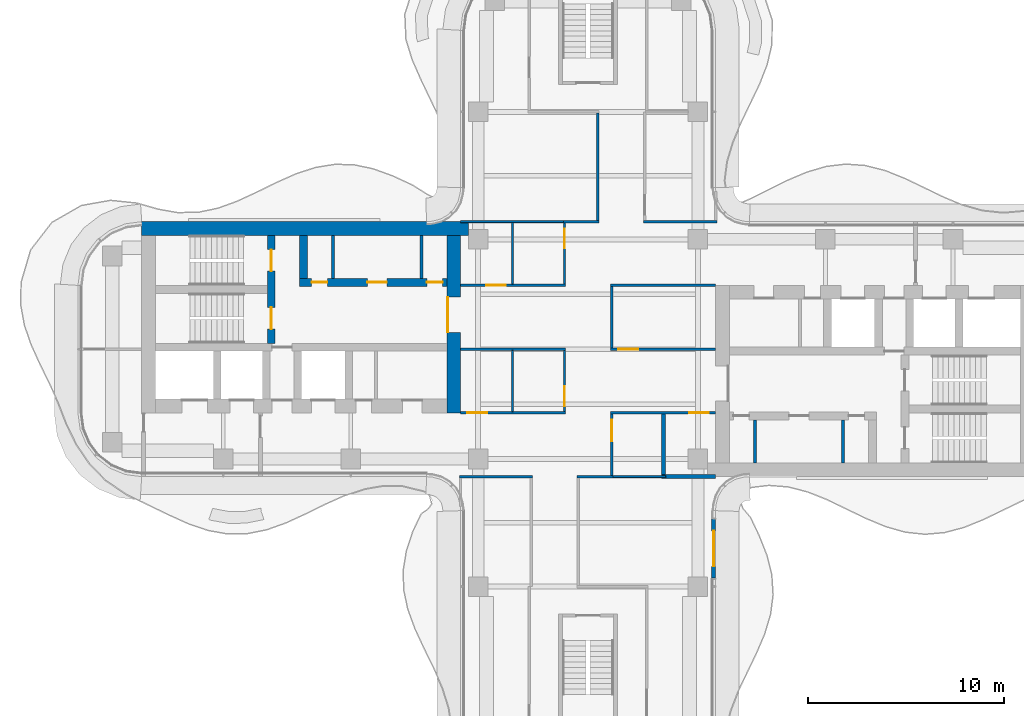
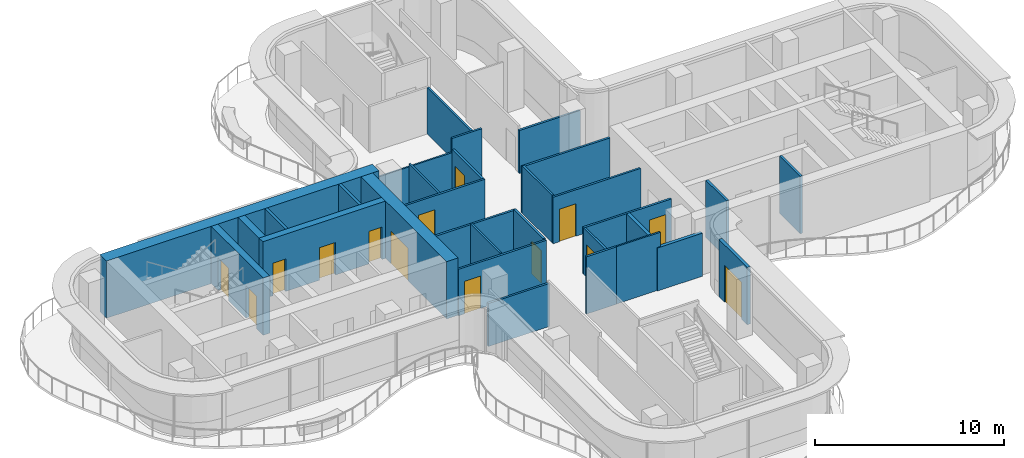
# One storey, part 12 of 16: 31 walls, 14 doors, 14 openings.
"""IFC4 building model written with IfcOpenShell, lengths in metres."""

from ifc_helpers import new_model, si_unit, direction, frame, frame_2d, origin, place, context, subcontext, project, spatial, rectangle, extrude, source, transform, mapped, material, layer, layer_set, type_object, element, fill, save


model = new_model("IFC4")

# Units and contexts
model_context = context("Model", 3, precision=1e-05, world=origin(), true_north=direction((0.0, 1.0)))
body_context = subcontext(model_context, "Body", "Model", "MODEL_VIEW")
ifc_project = project(units=[si_unit("LENGTHUNIT", "METRE"), si_unit("AREAUNIT", "SQUARE_METRE"), si_unit("VOLUMEUNIT", "CUBIC_METRE"), si_unit("PLANEANGLEUNIT", "RADIAN"), si_unit("MASSUNIT", "GRAM", prefix="KILO")], contexts=[model_context])

# Site, building, storey
site_placement = place(None, origin())
site = spatial("IfcSite", under=ifc_project, at=site_placement, CompositionType="ELEMENT")
building_placement = place(site_placement, origin())
building = spatial("IfcBuilding", under=site, at=building_placement, Name="Trellis Farm Tower", CompositionType="ELEMENT")
storey_placement = place(building_placement, frame((0.0, 0.0, 314.5)))
storey = spatial("IfcBuildingStorey", under=building, at=storey_placement, Name="L71", CompositionType="ELEMENT", Elevation=314.5)

# Wall, opening, door
ifc_material_1 = material(Name="Concrete C50/60", Category="concrete")
ifc_layer_1 = layer(ifc_material_1, 0.699951171875)
ifc_layer_set_1 = layer_set([ifc_layer_1], Name="CORE OUTER WALL 700 CONCRETE C50/60")
wall_type_1 = type_object("IfcWallType", Name="CORE OUTER WALL 700 CONCRETE C50/60", PredefinedType="SHEAR", material=ifc_layer_set_1)
shared_shape_1 = source(origin(), body_context, "Body", "SweptSolid", [
    extrude(rectangle(XDim=9.050048828125, YDim=0.699951171875, at=frame_2d((4.52490234375, 0.0))), origin(), (0.0, 0.0, 1.0), 3.699951171875),
])
wall_1_placement = place(storey_placement, frame((-6.85009765625, 5.800048828125, 0.0), z_axis=(0.0, 0.0, 1.0), x_axis=(0.0, -1.0, 0.0)))
wall_1 = element("IfcWall", 1, at=wall_1_placement, inside=storey, type_object=wall_type_1, Name="Core wall", PredefinedType="SHEAR", context=body_context, shape_type="MappedRepresentation", body=[
    mapped(shared_shape_1, transform((0.0, 0.0, 0.0))),
])
shared_shape_2 = source(origin(), body_context, "Body", "SweptSolid", [
    extrude(rectangle(XDim=1.800048828125, YDim=2.10009765625, at=frame_2d((0.89990234375, 1.050048828125))), frame((0.0, 0.360107421875, 0.0), z_axis=(0.0, -1.0, 0.0), x_axis=(1.0, 0.0, 0.0)), (0.0, 0.0, 1.0), 0.72021484375),
])
opening_1_placement = place(wall_1_placement, frame((3.14990234375, 0.0, 0.0)))
opening_1 = element("IfcOpeningElement", 2, at=opening_1_placement, cuts=wall_1, Name="Opening DC87", PredefinedType="OPENING", context=body_context, shape_type="MappedRepresentation", body=[
    mapped(shared_shape_2, transform((0.0, 0.0, 0.0))),
])
ifc_material_2 = material(Name="Steel", Category="steel")
door_type_1 = type_object("IfcDoorType", Name="CORE FIRE DOOR DOUBLE 1800 X 2100", OperationType="DOUBLE_DOOR_SINGLE_SWING", PredefinedType="DOOR", material=ifc_material_2)
shared_shape_3 = source(origin(), body_context, "Body", "SweptSolid", [
    extrude(rectangle(XDim=1.800048828125, YDim=2.10009765625, at=frame_2d((0.89990234375, 1.050048828125))), frame((0.0, -0.27490234375, 0.0), z_axis=(0.0, -1.0, 0.0), x_axis=(1.0, 0.0, 0.0)), (0.0, 0.0, 1.0), 0.050048828125),
])
door_1_placement = place(opening_1_placement, origin())
door_1 = element("IfcDoor", 3, at=door_1_placement, inside=storey, type_object=door_type_1, Name="Core door", OperationType="DOUBLE_DOOR_SINGLE_SWING", OverallHeight=2.10009765625, OverallWidth=1.800048828125, PredefinedType="DOOR", context=body_context, shape_type="MappedRepresentation", body=[
    mapped(shared_shape_3, transform((0.0, 0.0, 0.0))),
])
fill(opening_1, door_1)

# Wall, openings, doors
ifc_layer_2 = layer(ifc_material_1, 0.39990234375)
ifc_layer_set_2 = layer_set([ifc_layer_2], Name="CORE INNER WALL 400 CONCRETE C50/60")
wall_type_2 = type_object("IfcWallType", Name="CORE INNER WALL 400 CONCRETE C50/60", PredefinedType="SHEAR", material=ifc_layer_set_2)
shared_shape_4 = source(origin(), body_context, "Body", "SweptSolid", [
    extrude(rectangle(XDim=7.5, YDim=0.39990234375, at=frame_2d((3.75, 0.0))), origin(), (0.0, 0.0, 1.0), 3.699951171875),
])
wall_2_placement = place(storey_placement, frame((-7.199951171875, 3.39990234375, 0.0), z_axis=(0.0, 0.0, 1.0), x_axis=(-1.0, 0.0, 0.0)))
wall_2 = element("IfcWall", 4, at=wall_2_placement, inside=storey, type_object=wall_type_2, Name="Core wall", PredefinedType="SHEAR", context=body_context, shape_type="MappedRepresentation", body=[
    mapped(shared_shape_4, transform((0.0, 0.0, 0.0))),
])
shared_shape_5 = source(origin(), body_context, "Body", "SweptSolid", [
    extrude(rectangle(XDim=0.800048828125, YDim=2.10009765625, at=frame_2d((0.39990234375, 1.050048828125))), frame((0.0, 0.2099609375, 0.0), z_axis=(0.0, -1.0, 0.0), x_axis=(1.0, 0.0, 0.0)), (0.0, 0.0, 1.0), 0.419921875),
])
opening_2_placement = place(wall_2_placement, frame((0.21240234375, 0.0, 0.0)))
opening_2 = element("IfcOpeningElement", 5, at=opening_2_placement, cuts=wall_2, Name="Opening DC137", PredefinedType="OPENING", context=body_context, shape_type="MappedRepresentation", body=[
    mapped(shared_shape_5, transform((0.0, 0.0, 0.0))),
])
shared_shape_6 = source(origin(), body_context, "Body", "SweptSolid", [
    extrude(rectangle(XDim=1.0, YDim=2.10009765625, at=frame_2d((0.5, 1.050048828125))), frame((0.0, 0.2099609375, 0.0), z_axis=(0.0, -1.0, 0.0), x_axis=(1.0, 0.0, 0.0)), (0.0, 0.0, 1.0), 0.419921875),
])
opening_3_placement = place(wall_2_placement, frame((3.050048828125, 0.0, 0.0)))
opening_3 = element("IfcOpeningElement", 6, at=opening_3_placement, cuts=wall_2, Name="Opening DC148", PredefinedType="OPENING", context=body_context, shape_type="MappedRepresentation", body=[
    mapped(shared_shape_6, transform((0.0, 0.0, 0.0))),
])
opening_4_placement = place(wall_2_placement, frame((6.08740234375, 0.0, 0.0)))
opening_4 = element("IfcOpeningElement", 7, at=opening_4_placement, cuts=wall_2, Name="Opening DC149", PredefinedType="OPENING", context=body_context, shape_type="MappedRepresentation", body=[
    mapped(shared_shape_5, transform((0.0, 0.0, 0.0))),
])
door_type_2 = type_object("IfcDoorType", Name="CORE FIRE DOOR 1000 X 2100", OperationType="NOTDEFINED", PredefinedType="DOOR", material=ifc_material_2)
shared_shape_7 = source(origin(), body_context, "Body", "SweptSolid", [
    extrude(rectangle(XDim=1.0, YDim=2.10009765625, at=frame_2d((0.5, 1.050048828125))), frame((0.0, 0.02490234375, 0.0), z_axis=(0.0, -1.0, 0.0), x_axis=(1.0, 0.0, 0.0)), (0.0, 0.0, 1.0), 0.050048828125),
])
door_2_placement = place(opening_3_placement, origin())
door_2 = element("IfcDoor", 8, at=door_2_placement, inside=storey, type_object=door_type_2, Name="Core door", OperationType="SINGLE_SWING_RIGHT", OverallHeight=2.10009765625, OverallWidth=1.0, PredefinedType="DOOR", context=body_context, shape_type="MappedRepresentation", body=[
    mapped(shared_shape_7, transform((0.0, 0.0, 0.0))),
])
fill(opening_3, door_2)
door_type_3 = type_object("IfcDoorType", Name="CORE FIRE DOOR 800 X 2100", OperationType="NOTDEFINED", PredefinedType="DOOR", material=ifc_material_2)
shared_shape_8 = source(origin(), body_context, "Body", "SweptSolid", [
    extrude(rectangle(XDim=0.800048828125, YDim=2.10009765625, at=frame_2d((0.39990234375, 1.050048828125))), frame((0.0, 0.02490234375, 0.0), z_axis=(0.0, -1.0, 0.0), x_axis=(1.0, 0.0, 0.0)), (0.0, 0.0, 1.0), 0.050048828125),
])
door_3_placement = place(opening_2_placement, origin())
door_3 = element("IfcDoor", 9, at=door_3_placement, inside=storey, type_object=door_type_3, Name="Core door", OperationType="SINGLE_SWING_LEFT", OverallHeight=2.10009765625, OverallWidth=0.800048828125, PredefinedType="DOOR", context=body_context, shape_type="MappedRepresentation", body=[
    mapped(shared_shape_8, transform((0.0, 0.0, 0.0))),
])
fill(opening_2, door_3)
door_4_placement = place(opening_4_placement, origin())
door_4 = element("IfcDoor", 10, at=door_4_placement, inside=storey, type_object=door_type_3, Name="Core door", OperationType="SINGLE_SWING_LEFT", OverallHeight=2.10009765625, OverallWidth=0.800048828125, PredefinedType="DOOR", context=body_context, shape_type="MappedRepresentation", body=[
    mapped(shared_shape_8, transform((0.0, 0.0, 0.0))),
])
fill(opening_4, door_4)

shared_shape_9 = source(origin(), body_context, "Body", "SweptSolid", [
    extrude(rectangle(XDim=5.5, YDim=0.39990234375, at=frame_2d((2.75, 0.0))), origin(), (0.0, 0.0, 1.0), 3.699951171875),
])
wall_3_placement = place(storey_placement, frame((-16.14990234375, 5.800048828125, 0.0), z_axis=(0.0, 0.0, 1.0), x_axis=(0.0, -1.0, 0.0)))
wall_3 = element("IfcWall", 11, at=wall_3_placement, inside=storey, type_object=wall_type_2, Name="Core wall", PredefinedType="SHEAR", context=body_context, shape_type="MappedRepresentation", body=[
    mapped(shared_shape_9, transform((0.0, 0.0, 0.0))),
])
shared_shape_10 = source(origin(), body_context, "Body", "SweptSolid", [
    extrude(rectangle(XDim=1.10009765625, YDim=2.10009765625, at=frame_2d((0.550048828125, 1.050048828125))), frame((0.0, 0.2099609375, 0.0), z_axis=(0.0, -1.0, 0.0), x_axis=(1.0, 0.0, 0.0)), (0.0, 0.0, 1.0), 0.419921875),
])
opening_5_placement = place(wall_3_placement, frame((0.72509765625, 0.0, 0.0)))
opening_5 = element("IfcOpeningElement", 12, at=opening_5_placement, cuts=wall_3, Name="Opening DC88", PredefinedType="OPENING", context=body_context, shape_type="MappedRepresentation", body=[
    mapped(shared_shape_10, transform((0.0, 0.0, 0.0))),
])
opening_6_placement = place(wall_3_placement, frame((3.675048828125, 0.0, 0.0)))
opening_6 = element("IfcOpeningElement", 13, at=opening_6_placement, cuts=wall_3, Name="Opening DC89", PredefinedType="OPENING", context=body_context, shape_type="MappedRepresentation", body=[
    mapped(shared_shape_10, transform((0.0, 0.0, 0.0))),
])
door_type_4 = type_object("IfcDoorType", Name="CORE FIRE DOOR 1100 X 2100", OperationType="NOTDEFINED", PredefinedType="DOOR", material=ifc_material_2)
shared_shape_11 = source(origin(), body_context, "Body", "SweptSolid", [
    extrude(rectangle(XDim=1.10009765625, YDim=2.10009765625, at=frame_2d((0.550048828125, 1.050048828125))), frame((0.0, 0.02490234375, 0.0), z_axis=(0.0, -1.0, 0.0), x_axis=(1.0, 0.0, 0.0)), (0.0, 0.0, 1.0), 0.050048828125),
])
door_5_placement = place(opening_5_placement, origin())
door_5 = element("IfcDoor", 14, at=door_5_placement, inside=storey, type_object=door_type_4, Name="Core door", OperationType="SINGLE_SWING_RIGHT", OverallHeight=2.10009765625, OverallWidth=1.10009765625, PredefinedType="DOOR", context=body_context, shape_type="MappedRepresentation", body=[
    mapped(shared_shape_11, transform((0.0, 0.0, 0.0))),
])
fill(opening_5, door_5)
door_6_placement = place(opening_6_placement, origin())
door_6 = element("IfcDoor", 15, at=door_6_placement, inside=storey, type_object=door_type_4, Name="Core door", OperationType="SINGLE_SWING_LEFT", OverallHeight=2.10009765625, OverallWidth=1.10009765625, PredefinedType="DOOR", context=body_context, shape_type="MappedRepresentation", body=[
    mapped(shared_shape_11, transform((0.0, 0.0, 0.0))),
])
fill(opening_6, door_6)

# Walls
shared_shape_12 = source(origin(), body_context, "Body", "SweptSolid", [
    extrude(rectangle(XDim=2.199951171875, YDim=0.39990234375, at=frame_2d((1.10009765625, 0.0))), origin(), (0.0, 0.0, 1.0), 3.699951171875),
])
wall_4_placement = place(storey_placement, frame((-14.5, 5.800048828125, 0.0), z_axis=(0.0, 0.0, 1.0), x_axis=(0.0, -1.0, 0.0)))
element("IfcWall", 16, at=wall_4_placement, inside=storey, type_object=wall_type_2, Name="Core wall", PredefinedType="SHEAR", context=body_context, shape_type="MappedRepresentation", body=[
    mapped(shared_shape_12, transform((0.0, 0.0, 0.0))),
])
ifc_material_3 = material(Name="Masonry blockwork", Category="masonry")
ifc_layer_3 = layer(ifc_material_3, 0.14990234375)
ifc_layer_set_3 = layer_set([ifc_layer_3], Name="CORE PARTITION 150 BLOCKWORK")
wall_type_3 = type_object("IfcWallType", Name="CORE PARTITION 150 BLOCKWORK", PredefinedType="PARTITIONING", material=ifc_layer_set_3)
shared_shape_13 = source(origin(), body_context, "Body", "SweptSolid", [
    extrude(rectangle(XDim=2.199951171875, YDim=0.14990234375, at=frame_2d((1.10009765625, 0.0))), origin(), (0.0, 0.0, 1.0), 3.699951171875),
])
for number, where, z_axis, x_axis, name in (
    (17, (8.5, -5.800048828125, 0.0), (0.0, 0.0, 1.0), (0.0, 1.0, 0.0), "Core room partition"),
    (18, (13.0, -5.800048828125, 0.0), (0.0, 0.0, 1.0), (0.0, 1.0, 0.0), "Core room partition"),
    (19, (-8.5, 5.800048828125, 0.0), (0.0, 0.0, 1.0), (0.0, -1.0, 0.0), "Core room partition"),
    (20, (-13.0, 5.800048828125, 0.0), (0.0, 0.0, 1.0), (0.0, -1.0, 0.0), "Core room partition"),
):
    element("IfcWall", number, at=place(storey_placement, frame(where, z_axis=z_axis, x_axis=x_axis)), inside=storey, type_object=wall_type_3, Name=name, PredefinedType="PARTITIONING", context=body_context, shape_type="MappedRepresentation", body=[
        mapped(shared_shape_13, transform((0.0, 0.0, 0.0))),
    ])
shared_shape_14 = source(origin(), body_context, "Body", "SweptSolid", [
    extrude(rectangle(XDim=16.64990234375, YDim=0.699951171875, at=frame_2d((8.324951171875, 0.0))), origin(), (0.0, 0.0, 1.0), 3.699951171875),
])
wall_5_placement = place(storey_placement, frame((-6.10009765625, 6.14990234375, 0.0), z_axis=(0.0, 0.0, 1.0), x_axis=(-1.0, 0.0, 0.0)))
element("IfcWall", 21, at=wall_5_placement, inside=storey, type_object=wall_type_1, Name="Core wall", PredefinedType="SHEAR", context=body_context, shape_type="MappedRepresentation", body=[
    mapped(shared_shape_14, transform((0.0, 0.0, 0.0))),
])

# Wall, opening, door
ifc_material_4 = material(Name="Sandstone faced insulated wall", Category="masonry")
ifc_layer_4 = layer(ifc_material_4, 0.199951171875)
ifc_layer_set_4 = layer_set([ifc_layer_4], Name="EXTERNAL INFILL WALL 200")
wall_type_4 = type_object("IfcWallType", Name="EXTERNAL INFILL WALL 200", PredefinedType="SOLIDWALL", material=ifc_layer_set_4)
shared_shape_15 = source(origin(), body_context, "Body", "SweptSolid", [
    extrude(rectangle(XDim=3.0, YDim=0.199951171875, at=frame_2d((1.5, 0.0))), origin(), (0.0, 0.0, 1.0), 3.699951171875),
])
wall_6_placement = place(storey_placement, frame((6.39990234375, -11.665771484375, 0.0), z_axis=(0.0, 0.0, 1.0), x_axis=(0.0, 1.0, 0.0)))
wall_6 = element("IfcWall", 22, at=wall_6_placement, inside=storey, type_object=wall_type_4, Name="EW1 01", PredefinedType="SOLIDWALL", context=body_context, shape_type="MappedRepresentation", body=[
    mapped(shared_shape_15, transform((0.0, 0.0, 0.0))),
])
shared_shape_16 = source(origin(), body_context, "Body", "SweptSolid", [
    extrude(rectangle(XDim=1.800048828125, YDim=2.39990234375, at=frame_2d((0.89990234375, 1.199951171875))), frame((0.0, 0.110107421875, 0.0), z_axis=(0.0, -1.0, 0.0), x_axis=(1.0, 0.0, 0.0)), (0.0, 0.0, 1.0), 0.22021484375),
])
opening_7_placement = place(wall_6_placement, frame((0.60009765625, 0.0, 0.0)))
opening_7 = element("IfcOpeningElement", 23, at=opening_7_placement, cuts=wall_6, Name="Opening ED1", PredefinedType="OPENING", context=body_context, shape_type="MappedRepresentation", body=[
    mapped(shared_shape_16, transform((0.0, 0.0, 0.0))),
])
ifc_material_5 = material(Name="Aluminium framed glazed door", Category="aluminium")
door_type_5 = type_object("IfcDoorType", Name="BALCONY DOOR 1800x2400", OperationType="DOUBLE_DOOR_SINGLE_SWING", PredefinedType="DOOR", material=ifc_material_5)
shared_shape_17 = source(origin(), body_context, "Body", "SweptSolid", [
    extrude(rectangle(XDim=1.800048828125, YDim=2.39990234375, at=frame_2d((0.89990234375, 1.199951171875))), frame((0.0, 0.02490234375, 0.0), z_axis=(0.0, -1.0, 0.0), x_axis=(1.0, 0.0, 0.0)), (0.0, 0.0, 1.0), 0.050048828125),
])
door_7_placement = place(opening_7_placement, origin())
door_7 = element("IfcDoor", 24, at=door_7_placement, inside=storey, type_object=door_type_5, Name="Balcony door", OperationType="DOUBLE_DOOR_SINGLE_SWING", OverallHeight=2.39990234375, OverallWidth=1.800048828125, PredefinedType="DOOR", context=body_context, shape_type="MappedRepresentation", body=[
    mapped(shared_shape_17, transform((0.0, 0.0, 0.0))),
])
fill(opening_7, door_7)

# Wall
ifc_material_6 = material(Name="Plasterboard on steel studs, mineral wool", Category="steel")
ifc_layer_5 = layer(ifc_material_6, 0.125)
ifc_layer_set_5 = layer_set([ifc_layer_5], Name="PARTITION 125 STUD EI 60")
wall_type_5 = type_object("IfcWallType", Name="PARTITION 125 STUD EI 60", PredefinedType="PARTITIONING", material=ifc_layer_set_5)
shared_shape_18 = source(origin(), body_context, "Body", "SweptSolid", [
    extrude(rectangle(XDim=5.47509765625, YDim=0.125, at=frame_2d((2.737548828125, 0.0))), origin(), (0.0, 0.0, 1.0), 2.99658203125),
])
wall_7_placement = place(storey_placement, frame((0.5, 12.03759765625, 0.0), z_axis=(0.0, 0.0, 1.0), x_axis=(0.0, -1.0, 0.0)))
element("IfcWall", 25, at=wall_7_placement, inside=storey, type_object=wall_type_5, Name="Partition PW1", PredefinedType="PARTITIONING", context=body_context, shape_type="MappedRepresentation", body=[
    mapped(shared_shape_18, transform((0.0, 0.0, 0.0))),
])

# Wall, opening, door
shared_shape_19 = source(origin(), body_context, "Body", "SweptSolid", [
    extrude(rectangle(XDim=3.137451171875, YDim=0.125, at=frame_2d((1.56884765625, 0.0))), origin(), (0.0, 0.0, 1.0), 2.99658203125),
])
wall_8_placement = place(storey_placement, frame((-1.199951171875, 6.449951171875, 0.0), z_axis=(0.0, 0.0, 1.0), x_axis=(0.0, -1.0, 0.0)))
wall_8 = element("IfcWall", 26, at=wall_8_placement, inside=storey, type_object=wall_type_5, Name="Partition PW1", PredefinedType="PARTITIONING", context=body_context, shape_type="MappedRepresentation", body=[
    mapped(shared_shape_19, transform((0.0, 0.0, 0.0))),
])
shared_shape_20 = source(origin(), body_context, "Body", "SweptSolid", [
    extrude(rectangle(XDim=1.0, YDim=2.10009765625, at=frame_2d((0.5, 1.050048828125))), frame((0.0, 0.072509765625, 0.0), z_axis=(0.0, -1.0, 0.0), x_axis=(1.0, 0.0, 0.0)), (0.0, 0.0, 1.0), 0.14501953125),
])
opening_8_placement = place(wall_8_placement, frame((0.300048828125, 0.0, 0.0)))
opening_8 = element("IfcOpeningElement", 27, at=opening_8_placement, cuts=wall_8, Name="Opening D108", PredefinedType="OPENING", context=body_context, shape_type="MappedRepresentation", body=[
    mapped(shared_shape_20, transform((0.0, 0.0, 0.0))),
])
ifc_material_7 = material(Name="Fire-rated timber door leaf in a hollow metal frame", Category="wood")
door_type_6 = type_object("IfcDoorType", Name="DOOR 1000x2100 FD30S", OperationType="NOTDEFINED", PredefinedType="DOOR", material=ifc_material_7)
door_8_placement = place(opening_8_placement, origin())
door_8 = element("IfcDoor", 28, at=door_8_placement, inside=storey, type_object=door_type_6, Name="Door D108", OperationType="SINGLE_SWING_LEFT", OverallHeight=2.10009765625, OverallWidth=1.0, PredefinedType="DOOR", context=body_context, shape_type="MappedRepresentation", body=[
    mapped(shared_shape_7, transform((0.0, 0.0, 0.0))),
])
fill(opening_8, door_8)

wall_9_placement = place(storey_placement, frame((1.199951171875, -3.3125, 0.0), z_axis=(0.0, 0.0, 1.0), x_axis=(0.0, -1.0, 0.0)))
wall_9 = element("IfcWall", 29, at=wall_9_placement, inside=storey, type_object=wall_type_5, Name="Partition PW1", PredefinedType="PARTITIONING", context=body_context, shape_type="MappedRepresentation", body=[
    mapped(shared_shape_19, transform((0.0, 0.0, 0.0))),
])
shared_shape_21 = source(origin(), body_context, "Body", "SweptSolid", [
    extrude(rectangle(XDim=1.10009765625, YDim=2.10009765625, at=frame_2d((0.550048828125, 1.050048828125))), frame((0.0, 0.072509765625, 0.0), z_axis=(0.0, -1.0, 0.0), x_axis=(1.0, 0.0, 0.0)), (0.0, 0.0, 1.0), 0.14501953125),
])
opening_9_placement = place(wall_9_placement, frame((0.28759765625, 0.0, 0.0)))
opening_9 = element("IfcOpeningElement", 30, at=opening_9_placement, cuts=wall_9, Name="Opening D501", PredefinedType="OPENING", context=body_context, shape_type="MappedRepresentation", body=[
    mapped(shared_shape_21, transform((0.0, 0.0, 0.0))),
])
door_type_7 = type_object("IfcDoorType", Name="DOOR 1100x2100 FD30S", OperationType="NOTDEFINED", PredefinedType="DOOR", material=ifc_material_7)
door_9_placement = place(opening_9_placement, origin())
door_9 = element("IfcDoor", 31, at=door_9_placement, inside=storey, type_object=door_type_7, Name="Door D501", OperationType="SINGLE_SWING_LEFT", OverallHeight=2.10009765625, OverallWidth=1.10009765625, PredefinedType="DOOR", context=body_context, shape_type="MappedRepresentation", body=[
    mapped(shared_shape_11, transform((0.0, 0.0, 0.0))),
])
fill(opening_9, door_9)

shared_shape_22 = source(origin(), body_context, "Body", "SweptSolid", [
    extrude(rectangle(XDim=3.125, YDim=0.125, at=frame_2d((1.5625, 0.0))), origin(), (0.0, 0.0, 1.0), 3.06787109375),
])
wall_10_placement = place(storey_placement, frame((-1.199951171875, -0.0625, 0.0), z_axis=(0.0, 0.0, 1.0), x_axis=(0.0, -1.0, 0.0)))
wall_10 = element("IfcWall", 32, at=wall_10_placement, inside=storey, type_object=wall_type_5, Name="Partition PW1", PredefinedType="PARTITIONING", context=body_context, shape_type="MappedRepresentation", body=[
    mapped(shared_shape_22, transform((0.0, 0.0, 0.0))),
])
opening_10_placement = place(wall_10_placement, frame((1.83740234375, 0.0, 0.0)))
opening_10 = element("IfcOpeningElement", 33, at=opening_10_placement, cuts=wall_10, Name="Opening D103", PredefinedType="OPENING", context=body_context, shape_type="MappedRepresentation", body=[
    mapped(shared_shape_20, transform((0.0, 0.0, 0.0))),
])
door_10_placement = place(opening_10_placement, origin())
door_10 = element("IfcDoor", 34, at=door_10_placement, inside=storey, type_object=door_type_6, Name="Door D103", OperationType="SINGLE_SWING_RIGHT", OverallHeight=2.10009765625, OverallWidth=1.0, PredefinedType="DOOR", context=body_context, shape_type="MappedRepresentation", body=[
    mapped(shared_shape_7, transform((0.0, 0.0, 0.0))),
])
fill(opening_10, door_10)

# Wall
wall_11_placement = place(storey_placement, frame((1.199951171875, 3.1875, 0.0), z_axis=(0.0, 0.0, 1.0), x_axis=(0.0, -1.0, 0.0)))
element("IfcWall", 35, at=wall_11_placement, inside=storey, type_object=wall_type_5, Name="Partition PW1", PredefinedType="PARTITIONING", context=body_context, shape_type="MappedRepresentation", body=[
    mapped(shared_shape_22, transform((0.0, 0.0, 0.0))),
])

# Wall, opening, door
shared_shape_23 = source(origin(), body_context, "Body", "SweptSolid", [
    extrude(rectangle(XDim=5.362548828125, YDim=0.125, at=frame_2d((2.68115234375, 0.0))), origin(), (0.0, 0.0, 1.0), 2.99658203125),
])
wall_12_placement = place(storey_placement, frame((-1.137451171875, -3.25, 0.0), z_axis=(0.0, 0.0, 1.0), x_axis=(-1.0, 0.0, 0.0)))
wall_12 = element("IfcWall", 36, at=wall_12_placement, inside=storey, type_object=wall_type_5, Name="Partition PW1", PredefinedType="PARTITIONING", context=body_context, shape_type="MappedRepresentation", body=[
    mapped(shared_shape_23, transform((0.0, 0.0, 0.0))),
])
opening_11_placement = place(wall_12_placement, frame((4.012451171875, 0.0, 0.0)))
opening_11 = element("IfcOpeningElement", 37, at=opening_11_placement, cuts=wall_12, Name="Opening D102", PredefinedType="OPENING", context=body_context, shape_type="MappedRepresentation", body=[
    mapped(shared_shape_20, transform((0.0, 0.0, 0.0))),
])
door_11_placement = place(opening_11_placement, origin())
door_11 = element("IfcDoor", 38, at=door_11_placement, inside=storey, type_object=door_type_6, Name="Door D102", OperationType="SINGLE_SWING_RIGHT", OverallHeight=2.10009765625, OverallWidth=1.0, PredefinedType="DOOR", context=body_context, shape_type="MappedRepresentation", body=[
    mapped(shared_shape_7, transform((0.0, 0.0, 0.0))),
])
fill(opening_11, door_11)

wall_13_placement = place(storey_placement, frame((6.5, -3.25, 0.0), z_axis=(0.0, 0.0, 1.0), x_axis=(-1.0, 0.0, 0.0)))
wall_13 = element("IfcWall", 39, at=wall_13_placement, inside=storey, type_object=wall_type_5, Name="Partition PW1", PredefinedType="PARTITIONING", context=body_context, shape_type="MappedRepresentation", body=[
    mapped(shared_shape_23, transform((0.0, 0.0, 0.0))),
])
opening_12_placement = place(wall_13_placement, frame((0.35009765625, 0.0, 0.0)))
opening_12 = element("IfcOpeningElement", 40, at=opening_12_placement, cuts=wall_13, Name="Opening D301", PredefinedType="OPENING", context=body_context, shape_type="MappedRepresentation", body=[
    mapped(shared_shape_20, transform((0.0, 0.0, 0.0))),
])
door_type_8 = type_object("IfcDoorType", Name="DOOR 1000x2100 FD60", OperationType="NOTDEFINED", PredefinedType="DOOR", material=ifc_material_7)
door_12_placement = place(opening_12_placement, origin())
door_12 = element("IfcDoor", 41, at=door_12_placement, inside=storey, type_object=door_type_8, Name="Door D301", OperationType="SINGLE_SWING_LEFT", OverallHeight=2.10009765625, OverallWidth=1.0, PredefinedType="DOOR", context=body_context, shape_type="MappedRepresentation", body=[
    mapped(shared_shape_7, transform((0.0, 0.0, 0.0))),
])
fill(opening_12, door_12)

# Wall
wall_14_placement = place(storey_placement, frame((-1.137451171875, 0.0, 0.0), z_axis=(0.0, 0.0, 1.0), x_axis=(-1.0, 0.0, 0.0)))
element("IfcWall", 42, at=wall_14_placement, inside=storey, type_object=wall_type_5, Name="Partition PW1", PredefinedType="PARTITIONING", context=body_context, shape_type="MappedRepresentation", body=[
    mapped(shared_shape_23, transform((0.0, 0.0, 0.0))),
])

# Wall, opening, door
wall_15_placement = place(storey_placement, frame((6.5, 0.0, 0.0), z_axis=(0.0, 0.0, 1.0), x_axis=(-1.0, 0.0, 0.0)))
wall_15 = element("IfcWall", 43, at=wall_15_placement, inside=storey, type_object=wall_type_5, Name="Partition PW1", PredefinedType="PARTITIONING", context=body_context, shape_type="MappedRepresentation", body=[
    mapped(shared_shape_23, transform((0.0, 0.0, 0.0))),
])
opening_13_placement = place(wall_15_placement, frame((3.949951171875, 0.0, 0.0)))
opening_13 = element("IfcOpeningElement", 44, at=opening_13_placement, cuts=wall_15, Name="Opening D105", PredefinedType="OPENING", context=body_context, shape_type="MappedRepresentation", body=[
    mapped(shared_shape_20, transform((0.0, 0.0, 0.0))),
])
door_13_placement = place(opening_13_placement, origin())
door_13 = element("IfcDoor", 45, at=door_13_placement, inside=storey, type_object=door_type_6, Name="Door D105", OperationType="SINGLE_SWING_RIGHT", OverallHeight=2.10009765625, OverallWidth=1.0, PredefinedType="DOOR", context=body_context, shape_type="MappedRepresentation", body=[
    mapped(shared_shape_7, transform((0.0, 0.0, 0.0))),
])
fill(opening_13, door_13)

wall_16_placement = place(storey_placement, frame((-6.5, 3.25, 0.0), z_axis=(0.0, 0.0, 1.0), x_axis=(1.0, 0.0, 0.0)))
wall_16 = element("IfcWall", 46, at=wall_16_placement, inside=storey, type_object=wall_type_5, Name="Partition PW1", PredefinedType="PARTITIONING", context=body_context, shape_type="MappedRepresentation", body=[
    mapped(shared_shape_23, transform((0.0, 0.0, 0.0))),
])
opening_14_placement = place(wall_16_placement, frame((1.300048828125, 0.0, 0.0)))
opening_14 = element("IfcOpeningElement", 47, at=opening_14_placement, cuts=wall_16, Name="Opening D107", PredefinedType="OPENING", context=body_context, shape_type="MappedRepresentation", body=[
    mapped(shared_shape_20, transform((0.0, 0.0, 0.0))),
])
door_14_placement = place(opening_14_placement, origin())
door_14 = element("IfcDoor", 48, at=door_14_placement, inside=storey, type_object=door_type_6, Name="Door D107", OperationType="SINGLE_SWING_RIGHT", OverallHeight=2.10009765625, OverallWidth=1.0, PredefinedType="DOOR", context=body_context, shape_type="MappedRepresentation", body=[
    mapped(shared_shape_7, transform((0.0, 0.0, 0.0))),
])
fill(opening_14, door_14)

# Walls
wall_17_placement = place(storey_placement, frame((1.137451171875, 3.25, 0.0), z_axis=(0.0, 0.0, 1.0), x_axis=(1.0, 0.0, 0.0)))
element("IfcWall", 49, at=wall_17_placement, inside=storey, type_object=wall_type_5, Name="Partition PW1", PredefinedType="PARTITIONING", context=body_context, shape_type="MappedRepresentation", body=[
    mapped(shared_shape_23, transform((0.0, 0.0, 0.0))),
])
ifc_material_8 = material(Name="Plasterboard on steel studs", Category="steel")
ifc_layer_6 = layer(ifc_material_8, 0.10009765625)
ifc_layer_set_6 = layer_set([ifc_layer_6], Name="PARTITION 100 STUD EI 30")
wall_type_6 = type_object("IfcWallType", Name="PARTITION 100 STUD EI 30", PredefinedType="PARTITIONING", material=ifc_layer_set_6)
shared_shape_24 = source(origin(), body_context, "Body", "SweptSolid", [
    extrude(rectangle(XDim=5.362548828125, YDim=0.10009765625, at=frame_2d((2.68115234375, 0.0))), origin(), (0.0, 0.0, 1.0), 2.780029296875),
])
wall_18_placement = place(storey_placement, frame((-6.5, 6.5, 0.0), z_axis=(0.0, 0.0, 1.0), x_axis=(1.0, 0.0, 0.0)))
element("IfcWall", 50, at=wall_18_placement, inside=storey, type_object=wall_type_6, Name="Partition PW2", PredefinedType="PARTITIONING", context=body_context, shape_type="MappedRepresentation", body=[
    mapped(shared_shape_24, transform((0.0, 0.0, 0.0))),
])
shared_shape_25 = source(origin(), body_context, "Body", "SweptSolid", [
    extrude(rectangle(XDim=1.824951171875, YDim=0.125, at=frame_2d((0.91259765625, 0.0))), origin(), (0.0, 0.0, 1.0), 3.699951171875),
])
for number, where, z_axis, x_axis, name in (
    (51, (1.262451171875, -6.5, 0.0), (0.0, 0.0, 1.0), (-1.0, 0.0, 0.0), "Partition PW1"),
    (52, (-1.262451171875, 6.5, 0.0), (0.0, 0.0, 1.0), (1.0, 0.0, 0.0), "Partition PW1"),
):
    element("IfcWall", number, at=place(storey_placement, frame(where, z_axis=z_axis, x_axis=x_axis)), inside=storey, type_object=wall_type_5, Name=name, PredefinedType="PARTITIONING", context=body_context, shape_type="MappedRepresentation", body=[
        mapped(shared_shape_25, transform((0.0, 0.0, 0.0))),
    ])
shared_shape_26 = source(origin(), body_context, "Body", "SweptSolid", [
    extrude(rectangle(XDim=3.72509765625, YDim=0.125, at=frame_2d((1.862548828125, 0.0))), origin(), (0.0, 0.0, 1.0), 2.780029296875),
])
for number, where, z_axis, x_axis, name in (
    (53, (-2.83740234375, -6.5, 0.0), (0.0, 0.0, 1.0), (-1.0, 0.0, 0.0), "Partition PW1"),
    (54, (2.83740234375, 6.5, 0.0), (0.0, 0.0, 1.0), (1.0, 0.0, 0.0), "Partition PW1"),
):
    element("IfcWall", number, at=place(storey_placement, frame(where, z_axis=z_axis, x_axis=x_axis)), inside=storey, type_object=wall_type_5, Name=name, PredefinedType="PARTITIONING", context=body_context, shape_type="MappedRepresentation", body=[
        mapped(shared_shape_26, transform((0.0, 0.0, 0.0))),
    ])
shared_shape_27 = source(origin(), body_context, "Body", "SweptSolid", [
    extrude(rectangle(XDim=3.137451171875, YDim=0.10009765625, at=frame_2d((1.56884765625, 0.0))), origin(), (0.0, 0.0, 1.0), 2.99658203125),
])
wall_19_placement = place(storey_placement, frame((-3.85009765625, 3.3125, 0.0), z_axis=(0.0, 0.0, 1.0), x_axis=(0.0, 1.0, 0.0)))
element("IfcWall", 55, at=wall_19_placement, inside=storey, type_object=wall_type_6, Name="Partition PW2", PredefinedType="PARTITIONING", context=body_context, shape_type="MappedRepresentation", body=[
    mapped(shared_shape_27, transform((0.0, 0.0, 0.0))),
])
shared_shape_28 = source(origin(), body_context, "Body", "SweptSolid", [
    extrude(rectangle(XDim=3.125, YDim=0.10009765625, at=frame_2d((1.5625, 0.0))), origin(), (0.0, 0.0, 1.0), 3.06787109375),
])
wall_20_placement = place(storey_placement, frame((-3.85009765625, -3.1875, 0.0), z_axis=(0.0, 0.0, 1.0), x_axis=(0.0, 1.0, 0.0)))
element("IfcWall", 56, at=wall_20_placement, inside=storey, type_object=wall_type_6, Name="Partition PW2", PredefinedType="PARTITIONING", context=body_context, shape_type="MappedRepresentation", body=[
    mapped(shared_shape_28, transform((0.0, 0.0, 0.0))),
])
ifc_material_9 = material(Name="Lightweight blockwork, plastered", Category="masonry")
ifc_layer_7 = layer(ifc_material_9, 0.199951171875)
ifc_layer_set_7 = layer_set([ifc_layer_7], Name="BLOCK WALL 200 EI 120")
wall_type_7 = type_object("IfcWallType", Name="BLOCK WALL 200 EI 120", PredefinedType="PARTITIONING", material=ifc_layer_set_7)
shared_shape_29 = source(origin(), body_context, "Body", "SweptSolid", [
    extrude(rectangle(XDim=3.08740234375, YDim=0.199951171875, at=frame_2d((1.543701171875, 0.0))), origin(), (0.0, 0.0, 1.0), 2.99658203125),
])
wall_21_placement = place(storey_placement, frame((3.85009765625, -6.39990234375, 0.0), z_axis=(0.0, 0.0, 1.0), x_axis=(0.0, 1.0, 0.0)))
element("IfcWall", 57, at=wall_21_placement, inside=storey, type_object=wall_type_7, Name="Partition PW3", PredefinedType="PARTITIONING", context=body_context, shape_type="MappedRepresentation", body=[
    mapped(shared_shape_29, transform((0.0, 0.0, 0.0))),
])
shared_shape_30 = source(origin(), body_context, "Body", "SweptSolid", [
    extrude(rectangle(XDim=2.75, YDim=0.199951171875, at=frame_2d((1.375, 0.0))), origin(), (0.0, 0.0, 1.0), 2.780029296875),
])
wall_22_placement = place(storey_placement, frame((3.75, -6.5, 0.0), z_axis=(0.0, 0.0, 1.0), x_axis=(1.0, 0.0, 0.0)))
element("IfcWall", 58, at=wall_22_placement, inside=storey, type_object=wall_type_7, Name="Partition PW3", PredefinedType="PARTITIONING", context=body_context, shape_type="MappedRepresentation", body=[
    mapped(shared_shape_30, transform((0.0, 0.0, 0.0))),
])
shared_shape_31 = source(origin(), body_context, "Body", "SweptSolid", [
    extrude(rectangle(XDim=2.8125, YDim=0.10009765625, at=frame_2d((1.40625, 0.0))), origin(), (0.0, 0.0, 1.0), 3.699951171875),
])
wall_23_placement = place(storey_placement, frame((1.137451171875, -6.5, 0.0), z_axis=(0.0, 0.0, 1.0), x_axis=(1.0, 0.0, 0.0)))
element("IfcWall", 59, at=wall_23_placement, inside=storey, type_object=wall_type_6, Name="Partition PW2", PredefinedType="PARTITIONING", context=body_context, shape_type="MappedRepresentation", body=[
    mapped(shared_shape_31, transform((0.0, 0.0, 0.0))),
])

save(model, "model.ifc")
